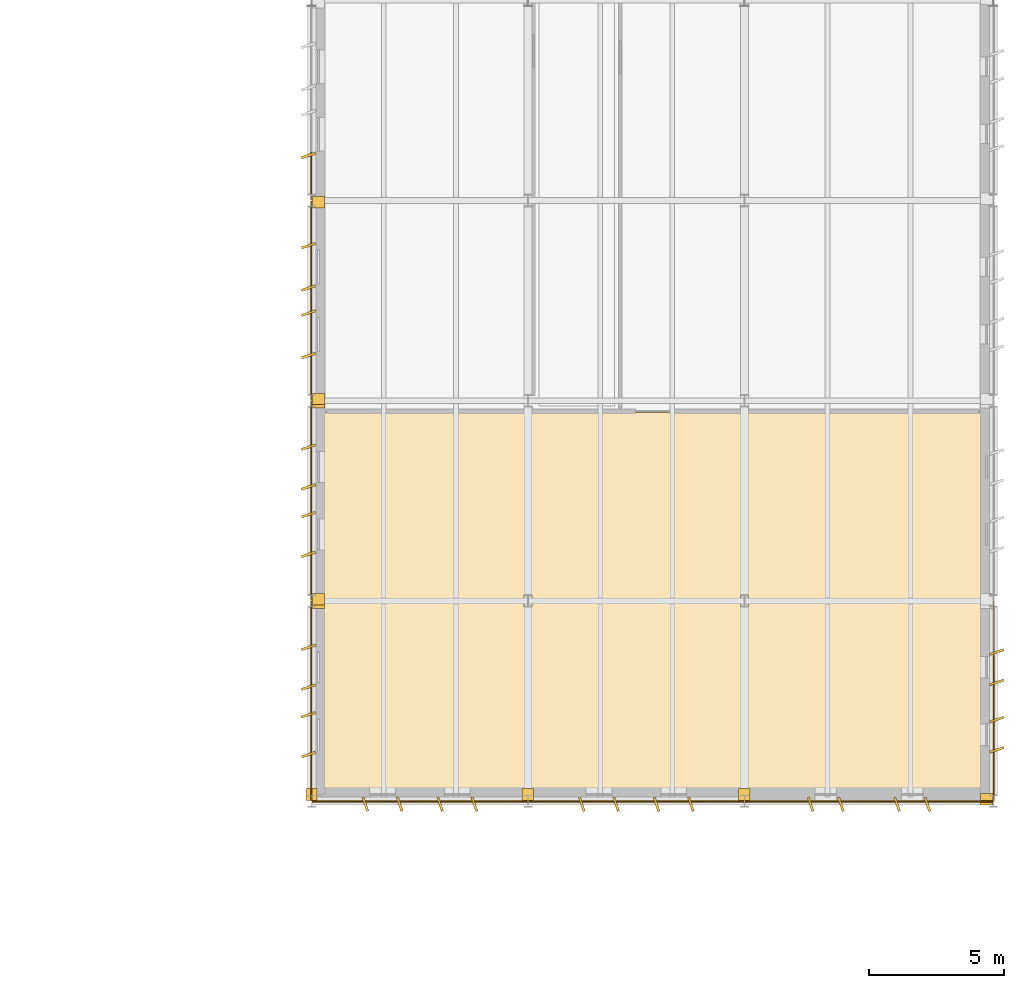
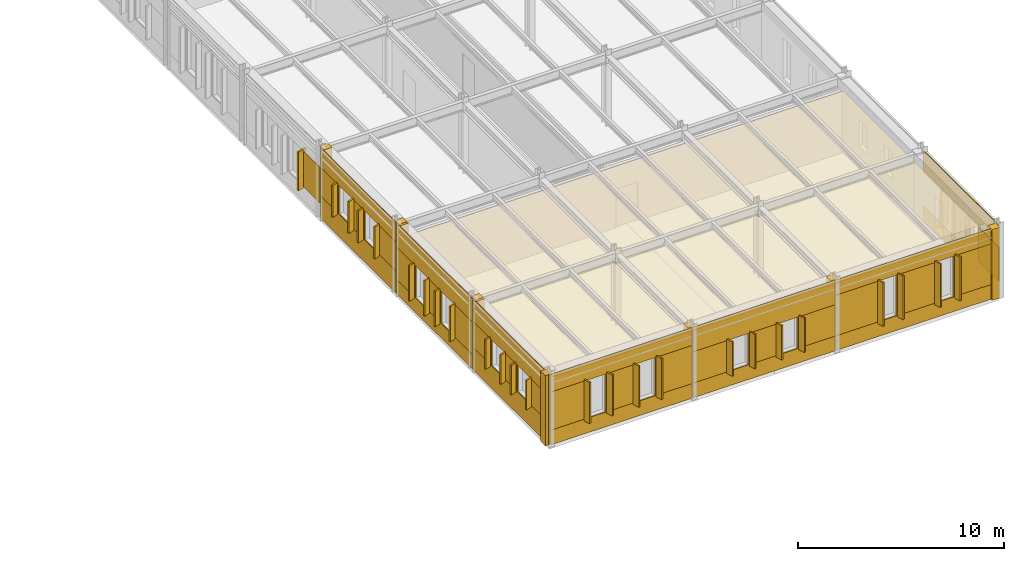
# One storey, part 71 of 75: 74 coverings.
"""IFC4 building model written with IfcOpenShell, lengths in metres."""

from ifc_helpers import new_model, si_unit, direction, frame, frame_2d, origin, origin_2d, place, context, subcontext, project, spatial, polyline, rectangle, outline, extrude, material, layer, layer_set, type_object, element, save


model = new_model("IFC4")

# Units and contexts
model_context = context("Model", 3, precision=1e-05, world=origin(), true_north=direction((0.0, 1.0)))
body_context = subcontext(model_context, "Body", "Model", "MODEL_VIEW")
ifc_project = project(units=[si_unit("LENGTHUNIT", "METRE"), si_unit("AREAUNIT", "SQUARE_METRE"), si_unit("VOLUMEUNIT", "CUBIC_METRE"), si_unit("PLANEANGLEUNIT", "RADIAN"), si_unit("MASSUNIT", "GRAM", prefix="KILO")], contexts=[model_context])

# Site, building, storey
site_placement = place(None, origin())
site = spatial("IfcSite", under=ifc_project, at=site_placement, CompositionType="ELEMENT")
building_placement = place(site_placement, origin())
building = spatial("IfcBuilding", under=site, at=building_placement, Name="Valkorina Park Police Headquarters", CompositionType="ELEMENT")
storey_placement = place(building_placement, frame((0.0, 0.0, 5.39990234375)))
storey = spatial("IfcBuildingStorey", under=building, at=storey_placement, Name="L02", CompositionType="ELEMENT", Elevation=5.39990234375)

# Coverings
ifc_material_1 = material(Name="Acoustic mineral board")
ifc_layer_1 = layer(ifc_material_1, 0.02490234375)
ifc_layer_set_1 = layer_set([ifc_layer_1], Name="Acoustic mineral board")
covering_type_1 = type_object("IfcCoveringType", Name="COV-CEILING-ACOUST", PredefinedType="CEILING", material=ifc_layer_set_1)
covering_1_placement = place(storey_placement, frame((0.0, 0.0, 3.59521484375)))
element("IfcCovering", 1, at=covering_1_placement, inside=storey, type_object=covering_type_1, Name="Forensic Toxicology Laboratory Acoustic Suspended Ceiling", PredefinedType="CEILING", context=body_context, shape_type="SweptSolid", body=[
    extrude(outline(polyline([(161.55859375, 7.904296875), (161.5595703125, 7.912109375), (161.56005859375, 7.919921875), (161.56005859375, 21.679931640625), (161.5595703125, 21.687744140625), (161.55859375, 21.695556640625), (161.556640625, 21.703125), (161.553955078125, 21.710693359375), (161.550537109375, 21.7177734375), (161.54638671875, 21.724365234375), (161.541748046875, 21.730712890625), (161.53662109375, 21.736572265625), (161.53076171875, 21.74169921875), (161.5244140625, 21.74658203125), (161.517578125, 21.75048828125), (161.510498046875, 21.75390625), (161.503173828125, 21.756591796875), (161.49560546875, 21.758544921875), (161.48779296875, 21.759521484375), (161.47998046875, 21.760009765625), (137.320068359375, 21.760009765625), (137.312255859375, 21.759521484375), (137.304443359375, 21.758544921875), (137.296875, 21.756591796875), (137.289306640625, 21.75390625), (137.2822265625, 21.75048828125), (137.275634765625, 21.74658203125), (137.269287109375, 21.74169921875), (137.263427734375, 21.736572265625), (137.25830078125, 21.730712890625), (137.25341796875, 21.724365234375), (137.24951171875, 21.7177734375), (137.24609375, 21.710693359375), (137.243408203125, 21.703125), (137.241455078125, 21.695556640625), (137.240478515625, 21.687744140625), (137.239990234375, 21.679931640625), (137.239990234375, 7.919921875), (137.240478515625, 7.912109375), (137.241455078125, 7.904296875), (137.243408203125, 7.896728515625), (137.24609375, 7.889404296875), (137.24951171875, 7.88232421875), (137.25341796875, 7.87548828125), (137.25830078125, 7.869140625), (137.263427734375, 7.86328125), (137.269287109375, 7.858154296875), (137.275634765625, 7.853515625), (137.2822265625, 7.849365234375), (137.289306640625, 7.84619140625), (137.296875, 7.843505859375), (137.304443359375, 7.841552734375), (137.312255859375, 7.84033203125), (137.320068359375, 7.840087890625), (161.47998046875, 7.840087890625), (161.48779296875, 7.84033203125), (161.49560546875, 7.841552734375), (161.503173828125, 7.843505859375), (161.510498046875, 7.84619140625), (161.517578125, 7.849365234375), (161.5244140625, 7.853515625), (161.53076171875, 7.858154296875), (161.53662109375, 7.86328125), (161.541748046875, 7.869140625), (161.54638671875, 7.87548828125), (161.550537109375, 7.88232421875), (161.553955078125, 7.889404296875), (161.556640625, 7.896728515625), (161.55859375, 7.904296875)]), holes=[polyline([(152.949951171875, 14.574951171875), (152.64990234375, 14.574951171875), (152.64990234375, 15.02490234375), (152.949951171875, 15.02490234375), (152.949951171875, 14.574951171875)]), polyline([(144.949951171875, 14.574951171875), (144.64990234375, 14.574951171875), (144.64990234375, 15.02490234375), (144.949951171875, 15.02490234375), (144.949951171875, 14.574951171875)])]), origin(), (0.0, 0.0, 1.0), 0.02490234375),
])
ifc_material_2 = material(Name="Precast concrete C40/50", Category="concrete")
ifc_layer_2 = layer(ifc_material_2, 0.044921875)
ifc_layer_set_2 = layer_set([ifc_layer_2], Name="Precast concrete C40/50")
covering_type_2 = type_object("IfcCoveringType", Name="COV-CLAD-DOLOMITE", PredefinedType="CLADDING", material=ifc_layer_set_2)
covering_2_placement = place(storey_placement, frame((161.75, 7.465087890625, 0.000244140625), z_axis=(0.0, 0.0, 1.0), x_axis=(0.0, 1.0, 0.0)))
element("IfcCovering", 2, at=covering_2_placement, inside=storey, type_object=covering_type_2, Name="L02 Exterior Joint Closure Pilaster B 1533", PredefinedType="CLADDING", context=body_context, shape_type="SweptSolid", body=[
    extrude(rectangle(XDim=0.419921875, YDim=0.449951171875, at=origin_2d()), origin(), (0.0, 0.0, 1.0), 4.169921875),
])
for number, where, z_axis, x_axis, name in (
    (3, (162.1201171875, 12.907470703125, 0.780029296875), (0.0, 0.0, 1.0), (0.948323655206, 0.317304656405, 0.0), "Slanted 18.5-deg Precast Window Slot Fin 1534"),
    (4, (162.1201171875, 11.787353515625, 0.780029296875), (0.0, 0.0, 1.0), (0.948323655206, 0.317304656405, 0.0), "Slanted 18.5-deg Precast Window Slot Fin 1535"),
    (5, (162.1201171875, 10.41259765625, 0.780029296875), (0.0, 0.0, 1.0), (0.948323655206, 0.317304656405, 0.0), "Slanted 18.5-deg Precast Window Slot Fin 1536"),
    (6, (162.1201171875, 9.29248046875, 0.780029296875), (0.0, 0.0, 1.0), (0.948323655206, 0.317304656405, 0.0), "Slanted 18.5-deg Precast Window Slot Fin 1537"),
):
    element("IfcCovering", number, at=place(storey_placement, frame(where, z_axis=z_axis, x_axis=x_axis)), inside=storey, type_object=covering_type_2, Name=name, PredefinedType="CLADDING", context=body_context, shape_type="SweptSolid", body=[
        extrude(rectangle(XDim=0.5400390625, YDim=0.090087890625, at=origin_2d()), origin(), (0.0, 0.0, 1.0), 2.18994140625),
    ])
covering_3_placement = place(storey_placement, frame((162.014892578125, 14.780029296875, 0.0), z_axis=(0.0, 0.0, 1.0), x_axis=(0.0, -1.0, 0.0)))
element("IfcCovering", 7, at=covering_3_placement, inside=storey, type_object=covering_type_2, Name="L02 Calm Concrete Base Sill Spandrel 1538", PredefinedType="CLADDING", context=body_context, shape_type="SweptSolid", body=[
    extrude(rectangle(XDim=7.360107421875, YDim=0.044921875, at=frame_2d((3.68017578125, 0.0))), origin(), (0.0, 0.0, 1.0), 0.8701171875),
])
covering_4_placement = place(storey_placement, frame((162.014892578125, 14.780029296875, 2.880126953125), z_axis=(0.0, 0.0, 1.0), x_axis=(0.0, -1.0, 0.0)))
element("IfcCovering", 8, at=covering_4_placement, inside=storey, type_object=covering_type_2, Name="L02 Calm Concrete Base Lintel Spandrel 1539", PredefinedType="CLADDING", context=body_context, shape_type="SweptSolid", body=[
    extrude(rectangle(XDim=7.360107421875, YDim=0.044921875, at=frame_2d((3.68017578125, 0.0))), origin(), (0.0, 0.0, 1.0), 1.2900390625),
])
covering_5_placement = place(storey_placement, frame((162.014892578125, 11.8974609375, 0.8701171875), z_axis=(0.0, 0.0, 1.0), x_axis=(0.0, -1.0, 0.0)))
element("IfcCovering", 9, at=covering_5_placement, inside=storey, type_object=covering_type_2, Name="L02 Calm Concrete Base Slot Pier 1541", PredefinedType="CLADDING", context=body_context, shape_type="SweptSolid", body=[
    extrude(rectangle(XDim=1.594970703125, YDim=0.044921875, at=frame_2d((0.79736328125, 0.0))), origin(), (0.0, 0.0, 1.0), 2.010009765625),
])
covering_6_placement = place(storey_placement, frame((162.014892578125, 9.402587890625, 0.8701171875), z_axis=(0.0, 0.0, 1.0), x_axis=(0.0, -1.0, 0.0)))
element("IfcCovering", 10, at=covering_6_placement, inside=storey, type_object=covering_type_2, Name="L02 Calm Concrete Base Slot Pier 1542", PredefinedType="CLADDING", context=body_context, shape_type="SweptSolid", body=[
    extrude(rectangle(XDim=1.982666015625, YDim=0.044921875, at=frame_2d((0.9912109375, 0.0))), origin(), (0.0, 0.0, 1.0), 2.010009765625),
])
covering_7_placement = place(storey_placement, frame((152.7900390625, 7.64990234375, 0.000244140625), z_axis=(0.0, 0.0, 1.0), x_axis=(1.0, 0.0, 0.0)))
element("IfcCovering", 11, at=covering_7_placement, inside=storey, type_object=covering_type_2, Name="L02 Exterior Joint Closure Pilaster B 1543", PredefinedType="CLADDING", context=body_context, shape_type="SweptSolid", body=[
    extrude(rectangle(XDim=0.419921875, YDim=0.449951171875, at=origin_2d()), origin(), (0.0, 0.0, 1.0), 4.169921875),
])
for number, where, z_axis, x_axis, name in (
    (12, (159.558349609375, 7.280029296875, 0.7802734375), (0.0, 0.0, 1.0), (0.317304656405, -0.948323655206, 0.0), "Slanted 18.5-deg Precast Window Slot Fin 1544"),
    (13, (158.4384765625, 7.280029296875, 0.7802734375), (0.0, 0.0, 1.0), (0.317304656405, -0.948323655206, 0.0), "Slanted 18.5-deg Precast Window Slot Fin 1545"),
    (14, (156.361572265625, 7.280029296875, 0.7802734375), (0.0, 0.0, 1.0), (0.317304656405, -0.948323655206, 0.0), "Slanted 18.5-deg Precast Window Slot Fin 1546"),
    (15, (155.24169921875, 7.280029296875, 0.7802734375), (0.0, 0.0, 1.0), (0.317304656405, -0.948323655206, 0.0), "Slanted 18.5-deg Precast Window Slot Fin 1547"),
):
    element("IfcCovering", number, at=place(storey_placement, frame(where, z_axis=z_axis, x_axis=x_axis)), inside=storey, type_object=covering_type_2, Name=name, PredefinedType="CLADDING", context=body_context, shape_type="SweptSolid", body=[
        extrude(rectangle(XDim=0.5400390625, YDim=0.090087890625, at=origin_2d()), origin(), (0.0, 0.0, 1.0), 2.590087890625),
    ])
covering_8_placement = place(storey_placement, frame((161.97998046875, 7.385009765625, 0.0), z_axis=(0.0, 0.0, 1.0), x_axis=(-1.0, 0.0, 0.0)))
element("IfcCovering", 16, at=covering_8_placement, inside=storey, type_object=covering_type_2, Name="L02 Calm Concrete Base Sill Spandrel 1548", PredefinedType="CLADDING", context=body_context, shape_type="SweptSolid", body=[
    extrude(rectangle(XDim=9.159912109375, YDim=0.044921875, at=frame_2d((4.580078125, 0.0))), origin(), (0.0, 0.0, 1.0), 0.8701171875),
])
covering_9_placement = place(storey_placement, frame((161.97998046875, 7.385009765625, 3.280029296875), z_axis=(0.0, 0.0, 1.0), x_axis=(-1.0, 0.0, 0.0)))
element("IfcCovering", 17, at=covering_9_placement, inside=storey, type_object=covering_type_2, Name="L02 Calm Concrete Base Lintel Spandrel 1549", PredefinedType="CLADDING", context=body_context, shape_type="SweptSolid", body=[
    extrude(rectangle(XDim=9.159912109375, YDim=0.044921875, at=frame_2d((4.580078125, 0.0))), origin(), (0.0, 0.0, 1.0), 0.89013671875),
])
covering_10_placement = place(storey_placement, frame((161.97998046875, 7.385009765625, 0.8701171875), z_axis=(0.0, 0.0, 1.0), x_axis=(-1.0, 0.0, 0.0)))
element("IfcCovering", 18, at=covering_10_placement, inside=storey, type_object=covering_type_2, Name="L02 Calm Concrete Base Slot Pier 1550", PredefinedType="CLADDING", context=body_context, shape_type="SweptSolid", body=[
    extrude(rectangle(XDim=2.531494140625, YDim=0.044921875, at=frame_2d((1.265625, 0.0))), origin(), (0.0, 0.0, 1.0), 2.409912109375),
])
covering_11_placement = place(storey_placement, frame((158.54833984375, 7.385009765625, 0.8701171875), z_axis=(0.0, 0.0, 1.0), x_axis=(-1.0, 0.0, 0.0)))
element("IfcCovering", 19, at=covering_11_placement, inside=storey, type_object=covering_type_2, Name="L02 Calm Concrete Base Slot Pier 1551", PredefinedType="CLADDING", context=body_context, shape_type="SweptSolid", body=[
    extrude(rectangle(XDim=2.296630859375, YDim=0.044921875, at=frame_2d((1.1484375, 0.0))), origin(), (0.0, 0.0, 1.0), 2.409912109375),
])
covering_12_placement = place(storey_placement, frame((155.3515625, 7.385009765625, 0.8701171875), z_axis=(0.0, 0.0, 1.0), x_axis=(-1.0, 0.0, 0.0)))
element("IfcCovering", 20, at=covering_12_placement, inside=storey, type_object=covering_type_2, Name="L02 Calm Concrete Base Slot Pier 1552", PredefinedType="CLADDING", context=body_context, shape_type="SweptSolid", body=[
    extrude(rectangle(XDim=2.531494140625, YDim=0.044921875, at=frame_2d((1.265625, 0.0))), origin(), (0.0, 0.0, 1.0), 2.409912109375),
])
covering_13_placement = place(storey_placement, frame((144.7900390625, 7.64990234375, 0.000244140625), z_axis=(0.0, 0.0, 1.0), x_axis=(1.0, 0.0, 0.0)))
element("IfcCovering", 21, at=covering_13_placement, inside=storey, type_object=covering_type_2, Name="L02 Exterior Joint Closure Pilaster B 1553", PredefinedType="CLADDING", context=body_context, shape_type="SweptSolid", body=[
    extrude(rectangle(XDim=0.419921875, YDim=0.449951171875, at=origin_2d()), origin(), (0.0, 0.0, 1.0), 4.169921875),
])
for number, where, z_axis, x_axis, name in (
    (22, (150.8173828125, 7.280029296875, 0.780029296875), (0.0, 0.0, 1.0), (0.317304656405, -0.948323655206, 0.0), "Slanted 18.5-deg Precast Window Slot Fin 1554"),
    (23, (149.54736328125, 7.280029296875, 0.780029296875), (0.0, 0.0, 1.0), (0.317304656405, -0.948323655206, 0.0), "Slanted 18.5-deg Precast Window Slot Fin 1555"),
    (24, (148.052490234375, 7.280029296875, 0.780029296875), (0.0, 0.0, 1.0), (0.317304656405, -0.948323655206, 0.0), "Slanted 18.5-deg Precast Window Slot Fin 1556"),
    (25, (146.78271484375, 7.280029296875, 0.780029296875), (0.0, 0.0, 1.0), (0.317304656405, -0.948323655206, 0.0), "Slanted 18.5-deg Precast Window Slot Fin 1557"),
):
    element("IfcCovering", number, at=place(storey_placement, frame(where, z_axis=z_axis, x_axis=x_axis)), inside=storey, type_object=covering_type_2, Name=name, PredefinedType="CLADDING", context=body_context, shape_type="SweptSolid", body=[
        extrude(rectangle(XDim=0.5400390625, YDim=0.090087890625, at=origin_2d()), origin(), (0.0, 0.0, 1.0), 2.0400390625),
    ])
covering_14_placement = place(storey_placement, frame((152.780029296875, 7.385009765625, 0.0), z_axis=(0.0, 0.0, 1.0), x_axis=(-1.0, 0.0, 0.0)))
element("IfcCovering", 26, at=covering_14_placement, inside=storey, type_object=covering_type_2, Name="L02 Calm Concrete Base Sill Spandrel 1558", PredefinedType="CLADDING", context=body_context, shape_type="SweptSolid", body=[
    extrude(rectangle(XDim=7.9599609375, YDim=0.044921875, at=frame_2d((3.97998046875, 0.0))), origin(), (0.0, 0.0, 1.0), 0.8701171875),
])
covering_15_placement = place(storey_placement, frame((152.780029296875, 7.385009765625, 2.72998046875), z_axis=(0.0, 0.0, 1.0), x_axis=(-1.0, 0.0, 0.0)))
element("IfcCovering", 27, at=covering_15_placement, inside=storey, type_object=covering_type_2, Name="L02 Calm Concrete Base Lintel Spandrel 1559", PredefinedType="CLADDING", context=body_context, shape_type="SweptSolid", body=[
    extrude(rectangle(XDim=7.9599609375, YDim=0.044921875, at=frame_2d((3.97998046875, 0.0))), origin(), (0.0, 0.0, 1.0), 1.440185546875),
])
covering_16_placement = place(storey_placement, frame((152.780029296875, 7.385009765625, 0.8701171875), z_axis=(0.0, 0.0, 1.0), x_axis=(-1.0, 0.0, 0.0)))
element("IfcCovering", 28, at=covering_16_placement, inside=storey, type_object=covering_type_2, Name="L02 Calm Concrete Base Slot Pier 1560", PredefinedType="CLADDING", context=body_context, shape_type="SweptSolid", body=[
    extrude(rectangle(XDim=2.072509765625, YDim=0.044921875, at=frame_2d((1.0361328125, 0.0))), origin(), (0.0, 0.0, 1.0), 1.85986328125),
])
covering_17_placement = place(storey_placement, frame((149.657470703125, 7.385009765625, 0.8701171875), z_axis=(0.0, 0.0, 1.0), x_axis=(-1.0, 0.0, 0.0)))
element("IfcCovering", 29, at=covering_17_placement, inside=storey, type_object=covering_type_2, Name="L02 Calm Concrete Base Slot Pier 1561", PredefinedType="CLADDING", context=body_context, shape_type="SweptSolid", body=[
    extrude(rectangle(XDim=1.71484375, YDim=0.044921875, at=frame_2d((0.857421875, 0.0))), origin(), (0.0, 0.0, 1.0), 1.85986328125),
])
covering_18_placement = place(storey_placement, frame((146.892578125, 7.385009765625, 0.8701171875), z_axis=(0.0, 0.0, 1.0), x_axis=(-1.0, 0.0, 0.0)))
element("IfcCovering", 30, at=covering_18_placement, inside=storey, type_object=covering_type_2, Name="L02 Calm Concrete Base Slot Pier 1562", PredefinedType="CLADDING", context=body_context, shape_type="SweptSolid", body=[
    extrude(rectangle(XDim=2.072509765625, YDim=0.044921875, at=frame_2d((1.0361328125, 0.0))), origin(), (0.0, 0.0, 1.0), 1.85986328125),
])
covering_19_placement = place(storey_placement, frame((136.7900390625, 7.64990234375, 0.000244140625), z_axis=(0.0, 0.0, 1.0), x_axis=(1.0, 0.0, 0.0)))
element("IfcCovering", 31, at=covering_19_placement, inside=storey, type_object=covering_type_2, Name="L02 Exterior Joint Closure Pilaster B 1563", PredefinedType="CLADDING", context=body_context, shape_type="SweptSolid", body=[
    extrude(rectangle(XDim=0.419921875, YDim=0.449951171875, at=origin_2d()), origin(), (0.0, 0.0, 1.0), 4.169921875),
])
for number, where, z_axis, x_axis, name in (
    (32, (142.8173828125, 7.280029296875, 0.780029296875), (0.0, 0.0, 1.0), (0.317304656405, -0.948323655206, 0.0), "Slanted 18.5-deg Precast Window Slot Fin 1564"),
    (33, (141.54736328125, 7.280029296875, 0.780029296875), (0.0, 0.0, 1.0), (0.317304656405, -0.948323655206, 0.0), "Slanted 18.5-deg Precast Window Slot Fin 1565"),
    (34, (140.052490234375, 7.280029296875, 0.780029296875), (0.0, 0.0, 1.0), (0.317304656405, -0.948323655206, 0.0), "Slanted 18.5-deg Precast Window Slot Fin 1566"),
    (35, (138.78271484375, 7.280029296875, 0.780029296875), (0.0, 0.0, 1.0), (0.317304656405, -0.948323655206, 0.0), "Slanted 18.5-deg Precast Window Slot Fin 1567"),
):
    element("IfcCovering", number, at=place(storey_placement, frame(where, z_axis=z_axis, x_axis=x_axis)), inside=storey, type_object=covering_type_2, Name=name, PredefinedType="CLADDING", context=body_context, shape_type="SweptSolid", body=[
        extrude(rectangle(XDim=0.5400390625, YDim=0.090087890625, at=origin_2d()), origin(), (0.0, 0.0, 1.0), 2.43994140625),
    ])
covering_20_placement = place(storey_placement, frame((144.780029296875, 7.385009765625, 0.0), z_axis=(0.0, 0.0, 1.0), x_axis=(-1.0, 0.0, 0.0)))
element("IfcCovering", 36, at=covering_20_placement, inside=storey, type_object=covering_type_2, Name="L02 Calm Concrete Base Sill Spandrel 1568", PredefinedType="CLADDING", context=body_context, shape_type="SweptSolid", body=[
    extrude(rectangle(XDim=7.9599609375, YDim=0.044921875, at=frame_2d((3.97998046875, 0.0))), origin(), (0.0, 0.0, 1.0), 0.8701171875),
])
covering_21_placement = place(storey_placement, frame((144.780029296875, 7.385009765625, 3.130126953125), z_axis=(0.0, 0.0, 1.0), x_axis=(-1.0, 0.0, 0.0)))
element("IfcCovering", 37, at=covering_21_placement, inside=storey, type_object=covering_type_2, Name="L02 Calm Concrete Base Lintel Spandrel 1569", PredefinedType="CLADDING", context=body_context, shape_type="SweptSolid", body=[
    extrude(rectangle(XDim=7.9599609375, YDim=0.044921875, at=frame_2d((3.97998046875, 0.0))), origin(), (0.0, 0.0, 1.0), 1.0400390625),
])
covering_22_placement = place(storey_placement, frame((144.780029296875, 7.385009765625, 0.8701171875), z_axis=(0.0, 0.0, 1.0), x_axis=(-1.0, 0.0, 0.0)))
element("IfcCovering", 38, at=covering_22_placement, inside=storey, type_object=covering_type_2, Name="L02 Calm Concrete Base Slot Pier 1570", PredefinedType="CLADDING", context=body_context, shape_type="SweptSolid", body=[
    extrude(rectangle(XDim=2.072509765625, YDim=0.044921875, at=frame_2d((1.0361328125, 0.0))), origin(), (0.0, 0.0, 1.0), 2.260009765625),
])
covering_23_placement = place(storey_placement, frame((141.657470703125, 7.385009765625, 0.8701171875), z_axis=(0.0, 0.0, 1.0), x_axis=(-1.0, 0.0, 0.0)))
element("IfcCovering", 39, at=covering_23_placement, inside=storey, type_object=covering_type_2, Name="L02 Calm Concrete Base Slot Pier 1571", PredefinedType="CLADDING", context=body_context, shape_type="SweptSolid", body=[
    extrude(rectangle(XDim=1.71484375, YDim=0.044921875, at=frame_2d((0.857421875, 0.0))), origin(), (0.0, 0.0, 1.0), 2.260009765625),
])
covering_24_placement = place(storey_placement, frame((138.892578125, 7.385009765625, 0.8701171875), z_axis=(0.0, 0.0, 1.0), x_axis=(-1.0, 0.0, 0.0)))
element("IfcCovering", 40, at=covering_24_placement, inside=storey, type_object=covering_type_2, Name="L02 Calm Concrete Base Slot Pier 1572", PredefinedType="CLADDING", context=body_context, shape_type="SweptSolid", body=[
    extrude(rectangle(XDim=2.072509765625, YDim=0.044921875, at=frame_2d((1.0361328125, 0.0))), origin(), (0.0, 0.0, 1.0), 2.260009765625),
])
covering_25_placement = place(storey_placement, frame((137.050048828125, 14.735107421875, 0.000244140625), z_axis=(0.0, 0.0, 1.0), x_axis=(0.0, 1.0, 0.0)))
element("IfcCovering", 41, at=covering_25_placement, inside=storey, type_object=covering_type_2, Name="L02 Exterior Joint Closure Pilaster B 1573", PredefinedType="CLADDING", context=body_context, shape_type="SweptSolid", body=[
    extrude(rectangle(XDim=0.419921875, YDim=0.449951171875, at=origin_2d()), origin(), (0.0, 0.0, 1.0), 4.169921875),
])
for number, where, z_axis, x_axis, name in (
    (42, (136.679931640625, 9.11767578125, 1.22998046875), (0.0, 0.0, 1.0), (-0.948323655206, -0.317304656405, 0.0), "Slanted 18.5-deg Precast Window Slot Fin 1574"),
    (43, (136.679931640625, 10.587646484375, 1.22998046875), (0.0, 0.0, 1.0), (-0.948323655206, -0.317304656405, 0.0), "Slanted 18.5-deg Precast Window Slot Fin 1575"),
    (44, (136.679931640625, 11.6123046875, 1.22998046875), (0.0, 0.0, 1.0), (-0.948323655206, -0.317304656405, 0.0), "Slanted 18.5-deg Precast Window Slot Fin 1576"),
    (45, (136.679931640625, 13.08251953125, 1.22998046875), (0.0, 0.0, 1.0), (-0.948323655206, -0.317304656405, 0.0), "Slanted 18.5-deg Precast Window Slot Fin 1577"),
):
    element("IfcCovering", number, at=place(storey_placement, frame(where, z_axis=z_axis, x_axis=x_axis)), inside=storey, type_object=covering_type_2, Name=name, PredefinedType="CLADDING", context=body_context, shape_type="SweptSolid", body=[
        extrude(rectangle(XDim=0.5400390625, YDim=0.090087890625, at=origin_2d()), origin(), (0.0, 0.0, 1.0), 1.739990234375),
    ])
covering_26_placement = place(storey_placement, frame((136.784912109375, 7.419921875, 0.0), z_axis=(0.0, 0.0, 1.0), x_axis=(0.0, 1.0, 0.0)))
element("IfcCovering", 46, at=covering_26_placement, inside=storey, type_object=covering_type_2, Name="L02 Calm Concrete Base Sill Spandrel 1578", PredefinedType="CLADDING", context=body_context, shape_type="SweptSolid", body=[
    extrude(rectangle(XDim=7.360107421875, YDim=0.044921875, at=frame_2d((3.68017578125, 0.0))), origin(), (0.0, 0.0, 1.0), 1.320068359375),
])
covering_27_placement = place(storey_placement, frame((136.784912109375, 7.419921875, 2.880126953125), z_axis=(0.0, 0.0, 1.0), x_axis=(0.0, 1.0, 0.0)))
element("IfcCovering", 47, at=covering_27_placement, inside=storey, type_object=covering_type_2, Name="L02 Calm Concrete Base Lintel Spandrel 1579", PredefinedType="CLADDING", context=body_context, shape_type="SweptSolid", body=[
    extrude(rectangle(XDim=7.360107421875, YDim=0.044921875, at=frame_2d((3.68017578125, 0.0))), origin(), (0.0, 0.0, 1.0), 1.2900390625),
])
covering_28_placement = place(storey_placement, frame((136.784912109375, 7.419921875, 1.320068359375), z_axis=(0.0, 0.0, 1.0), x_axis=(0.0, 1.0, 0.0)))
element("IfcCovering", 48, at=covering_28_placement, inside=storey, type_object=covering_type_2, Name="L02 Calm Concrete Base Slot Pier 1580", PredefinedType="CLADDING", context=body_context, shape_type="SweptSolid", body=[
    extrude(rectangle(XDim=1.8076171875, YDim=0.044921875, at=frame_2d((0.90380859375, 0.0))), origin(), (0.0, 0.0, 1.0), 1.56005859375),
])
covering_29_placement = place(storey_placement, frame((136.784912109375, 10.4775390625, 1.320068359375), z_axis=(0.0, 0.0, 1.0), x_axis=(0.0, 1.0, 0.0)))
element("IfcCovering", 49, at=covering_29_placement, inside=storey, type_object=covering_type_2, Name="L02 Calm Concrete Base Slot Pier 1581", PredefinedType="CLADDING", context=body_context, shape_type="SweptSolid", body=[
    extrude(rectangle(XDim=1.244873046875, YDim=0.044921875, at=frame_2d((0.62255859375, 0.0))), origin(), (0.0, 0.0, 1.0), 1.56005859375),
])
covering_30_placement = place(storey_placement, frame((136.784912109375, 12.972412109375, 1.320068359375), z_axis=(0.0, 0.0, 1.0), x_axis=(0.0, 1.0, 0.0)))
element("IfcCovering", 50, at=covering_30_placement, inside=storey, type_object=covering_type_2, Name="L02 Calm Concrete Base Slot Pier 1582", PredefinedType="CLADDING", context=body_context, shape_type="SweptSolid", body=[
    extrude(rectangle(XDim=1.8076171875, YDim=0.044921875, at=frame_2d((0.90380859375, 0.0))), origin(), (0.0, 0.0, 1.0), 1.56005859375),
])
for number, where, z_axis, x_axis, name in (
    (51, (137.050048828125, 14.864990234375, 0.000244140625), (0.0, 0.0, 1.0), (0.0, 1.0, 0.0), "L02 Exterior Joint Closure Pilaster A 1583"),
    (52, (137.050048828125, 22.135009765625, 0.000244140625), (0.0, 0.0, 1.0), (0.0, 1.0, 0.0), "L02 Exterior Joint Closure Pilaster B 1584"),
):
    element("IfcCovering", number, at=place(storey_placement, frame(where, z_axis=z_axis, x_axis=x_axis)), inside=storey, type_object=covering_type_2, Name=name, PredefinedType="CLADDING", context=body_context, shape_type="SweptSolid", body=[
        extrude(rectangle(XDim=0.419921875, YDim=0.449951171875, at=origin_2d()), origin(), (0.0, 0.0, 1.0), 4.169921875),
    ])
for number, where, z_axis, x_axis, name in (
    (53, (136.679931640625, 16.517578125, 0.7802734375), (0.0, 0.0, 1.0), (-0.948323655206, -0.317304656405, 0.0), "Slanted 18.5-deg Precast Window Slot Fin 1585"),
    (54, (136.679931640625, 17.987548828125, 0.7802734375), (0.0, 0.0, 1.0), (-0.948323655206, -0.317304656405, 0.0), "Slanted 18.5-deg Precast Window Slot Fin 1586"),
    (55, (136.679931640625, 19.012451171875, 0.7802734375), (0.0, 0.0, 1.0), (-0.948323655206, -0.317304656405, 0.0), "Slanted 18.5-deg Precast Window Slot Fin 1587"),
    (56, (136.679931640625, 20.482421875, 0.7802734375), (0.0, 0.0, 1.0), (-0.948323655206, -0.317304656405, 0.0), "Slanted 18.5-deg Precast Window Slot Fin 1588"),
):
    element("IfcCovering", number, at=place(storey_placement, frame(where, z_axis=z_axis, x_axis=x_axis)), inside=storey, type_object=covering_type_2, Name=name, PredefinedType="CLADDING", context=body_context, shape_type="SweptSolid", body=[
        extrude(rectangle(XDim=0.5400390625, YDim=0.090087890625, at=origin_2d()), origin(), (0.0, 0.0, 1.0), 2.090087890625),
    ])
covering_31_placement = place(storey_placement, frame((136.784912109375, 14.820068359375, 0.0), z_axis=(0.0, 0.0, 1.0), x_axis=(0.0, 1.0, 0.0)))
element("IfcCovering", 57, at=covering_31_placement, inside=storey, type_object=covering_type_2, Name="L02 Calm Concrete Base Sill Spandrel 1589", PredefinedType="CLADDING", context=body_context, shape_type="SweptSolid", body=[
    extrude(rectangle(XDim=7.35986328125, YDim=0.044921875, at=frame_2d((3.679931640625, 0.0))), origin(), (0.0, 0.0, 1.0), 0.8701171875),
])
covering_32_placement = place(storey_placement, frame((136.784912109375, 14.820068359375, 2.780029296875), z_axis=(0.0, 0.0, 1.0), x_axis=(0.0, 1.0, 0.0)))
element("IfcCovering", 58, at=covering_32_placement, inside=storey, type_object=covering_type_2, Name="L02 Calm Concrete Base Lintel Spandrel 1590", PredefinedType="CLADDING", context=body_context, shape_type="SweptSolid", body=[
    extrude(rectangle(XDim=7.35986328125, YDim=0.044921875, at=frame_2d((3.679931640625, 0.0))), origin(), (0.0, 0.0, 1.0), 1.39013671875),
])
covering_33_placement = place(storey_placement, frame((136.784912109375, 14.820068359375, 0.8701171875), z_axis=(0.0, 0.0, 1.0), x_axis=(0.0, 1.0, 0.0)))
element("IfcCovering", 59, at=covering_33_placement, inside=storey, type_object=covering_type_2, Name="L02 Calm Concrete Base Slot Pier 1591", PredefinedType="CLADDING", context=body_context, shape_type="SweptSolid", body=[
    extrude(rectangle(XDim=1.8076171875, YDim=0.044921875, at=frame_2d((0.90380859375, 0.0))), origin(), (0.0, 0.0, 1.0), 1.909912109375),
])
covering_34_placement = place(storey_placement, frame((136.784912109375, 17.877685546875, 0.8701171875), z_axis=(0.0, 0.0, 1.0), x_axis=(0.0, 1.0, 0.0)))
element("IfcCovering", 60, at=covering_34_placement, inside=storey, type_object=covering_type_2, Name="L02 Calm Concrete Base Slot Pier 1592", PredefinedType="CLADDING", context=body_context, shape_type="SweptSolid", body=[
    extrude(rectangle(XDim=1.24462890625, YDim=0.044921875, at=frame_2d((0.622314453125, 0.0))), origin(), (0.0, 0.0, 1.0), 1.909912109375),
])
covering_35_placement = place(storey_placement, frame((136.784912109375, 20.372314453125, 0.8701171875), z_axis=(0.0, 0.0, 1.0), x_axis=(0.0, 1.0, 0.0)))
element("IfcCovering", 61, at=covering_35_placement, inside=storey, type_object=covering_type_2, Name="L02 Calm Concrete Base Slot Pier 1593", PredefinedType="CLADDING", context=body_context, shape_type="SweptSolid", body=[
    extrude(rectangle(XDim=1.8076171875, YDim=0.044921875, at=frame_2d((0.90380859375, 0.0))), origin(), (0.0, 0.0, 1.0), 1.909912109375),
])
for number, where, z_axis, x_axis, name in (
    (62, (137.050048828125, 22.264892578125, 0.000244140625), (0.0, 0.0, 1.0), (0.0, 1.0, 0.0), "L02 Exterior Joint Closure Pilaster A 1594"),
    (63, (137.050048828125, 29.534912109375, 0.000244140625), (0.0, 0.0, 1.0), (0.0, 1.0, 0.0), "L02 Exterior Joint Closure Pilaster B 1595"),
):
    element("IfcCovering", number, at=place(storey_placement, frame(where, z_axis=z_axis, x_axis=x_axis)), inside=storey, type_object=covering_type_2, Name=name, PredefinedType="CLADDING", context=body_context, shape_type="SweptSolid", body=[
        extrude(rectangle(XDim=0.419921875, YDim=0.449951171875, at=origin_2d()), origin(), (0.0, 0.0, 1.0), 4.169921875),
    ])
for number, where, z_axis, x_axis, name in (
    (64, (136.679931640625, 23.86767578125, 1.22998046875), (0.0, 0.0, 1.0), (-0.948323655206, -0.317304656405, 0.0), "Slanted 18.5-deg Precast Window Slot Fin 1596"),
    (65, (136.679931640625, 25.4375, 1.22998046875), (0.0, 0.0, 1.0), (-0.948323655206, -0.317304656405, 0.0), "Slanted 18.5-deg Precast Window Slot Fin 1597"),
    (66, (136.679931640625, 26.3623046875, 1.22998046875), (0.0, 0.0, 1.0), (-0.948323655206, -0.317304656405, 0.0), "Slanted 18.5-deg Precast Window Slot Fin 1598"),
    (67, (136.679931640625, 27.932373046875, 1.22998046875), (0.0, 0.0, 1.0), (-0.948323655206, -0.317304656405, 0.0), "Slanted 18.5-deg Precast Window Slot Fin 1599"),
):
    element("IfcCovering", number, at=place(storey_placement, frame(where, z_axis=z_axis, x_axis=x_axis)), inside=storey, type_object=covering_type_2, Name=name, PredefinedType="CLADDING", context=body_context, shape_type="SweptSolid", body=[
        extrude(rectangle(XDim=0.5400390625, YDim=0.090087890625, at=origin_2d()), origin(), (0.0, 0.0, 1.0), 1.889892578125),
    ])
covering_36_placement = place(storey_placement, frame((136.784912109375, 22.219970703125, 0.0), z_axis=(0.0, 0.0, 1.0), x_axis=(0.0, 1.0, 0.0)))
element("IfcCovering", 68, at=covering_36_placement, inside=storey, type_object=covering_type_2, Name="L02 Calm Concrete Base Sill Spandrel 1600", PredefinedType="CLADDING", context=body_context, shape_type="SweptSolid", body=[
    extrude(rectangle(XDim=7.360107421875, YDim=0.044921875, at=frame_2d((3.68017578125, 0.0))), origin(), (0.0, 0.0, 1.0), 1.320068359375),
])
covering_37_placement = place(storey_placement, frame((136.784912109375, 22.219970703125, 3.030029296875), z_axis=(0.0, 0.0, 1.0), x_axis=(0.0, 1.0, 0.0)))
element("IfcCovering", 69, at=covering_37_placement, inside=storey, type_object=covering_type_2, Name="L02 Calm Concrete Base Lintel Spandrel 1601", PredefinedType="CLADDING", context=body_context, shape_type="SweptSolid", body=[
    extrude(rectangle(XDim=7.360107421875, YDim=0.044921875, at=frame_2d((3.68017578125, 0.0))), origin(), (0.0, 0.0, 1.0), 1.14013671875),
])
covering_38_placement = place(storey_placement, frame((136.784912109375, 22.219970703125, 1.320068359375), z_axis=(0.0, 0.0, 1.0), x_axis=(0.0, 1.0, 0.0)))
element("IfcCovering", 70, at=covering_38_placement, inside=storey, type_object=covering_type_2, Name="L02 Calm Concrete Base Slot Pier 1602", PredefinedType="CLADDING", context=body_context, shape_type="SweptSolid", body=[
    extrude(rectangle(XDim=1.757568359375, YDim=0.044921875, at=frame_2d((0.87890625, 0.0))), origin(), (0.0, 0.0, 1.0), 1.7099609375),
])
covering_39_placement = place(storey_placement, frame((136.784912109375, 25.32763671875, 1.320068359375), z_axis=(0.0, 0.0, 1.0), x_axis=(0.0, 1.0, 0.0)))
element("IfcCovering", 71, at=covering_39_placement, inside=storey, type_object=covering_type_2, Name="L02 Calm Concrete Base Slot Pier 1603", PredefinedType="CLADDING", context=body_context, shape_type="SweptSolid", body=[
    extrude(rectangle(XDim=1.144775390625, YDim=0.044921875, at=frame_2d((0.572265625, 0.0))), origin(), (0.0, 0.0, 1.0), 1.7099609375),
])
covering_40_placement = place(storey_placement, frame((136.784912109375, 27.822509765625, 1.320068359375), z_axis=(0.0, 0.0, 1.0), x_axis=(0.0, 1.0, 0.0)))
element("IfcCovering", 72, at=covering_40_placement, inside=storey, type_object=covering_type_2, Name="L02 Calm Concrete Base Slot Pier 1604", PredefinedType="CLADDING", context=body_context, shape_type="SweptSolid", body=[
    extrude(rectangle(XDim=1.757568359375, YDim=0.044921875, at=frame_2d((0.87890625, 0.0))), origin(), (0.0, 0.0, 1.0), 1.7099609375),
])
covering_41_placement = place(storey_placement, frame((136.679931640625, 31.267578125, 0.780029296875), z_axis=(0.0, 0.0, 1.0), x_axis=(-0.948323655206, -0.317304656405, 0.0)))
element("IfcCovering", 73, at=covering_41_placement, inside=storey, type_object=covering_type_2, Name="Slanted 18.5-deg Precast Window Slot Fin 1606", PredefinedType="CLADDING", context=body_context, shape_type="SweptSolid", body=[
    extrude(rectangle(XDim=0.5400390625, YDim=0.090087890625, at=origin_2d()), origin(), (0.0, 0.0, 1.0), 2.2900390625),
])
covering_42_placement = place(storey_placement, frame((136.784912109375, 29.6201171875, 0.8701171875), z_axis=(0.0, 0.0, 1.0), x_axis=(0.0, 1.0, 0.0)))
element("IfcCovering", 74, at=covering_42_placement, inside=storey, type_object=covering_type_2, Name="L02 Calm Concrete Base Slot Pier 1612", PredefinedType="CLADDING", context=body_context, shape_type="SweptSolid", body=[
    extrude(rectangle(XDim=1.757568359375, YDim=0.044921875, at=frame_2d((0.87890625, 0.0))), origin(), (0.0, 0.0, 1.0), 2.10986328125),
])

save(model, "model.ifc")
